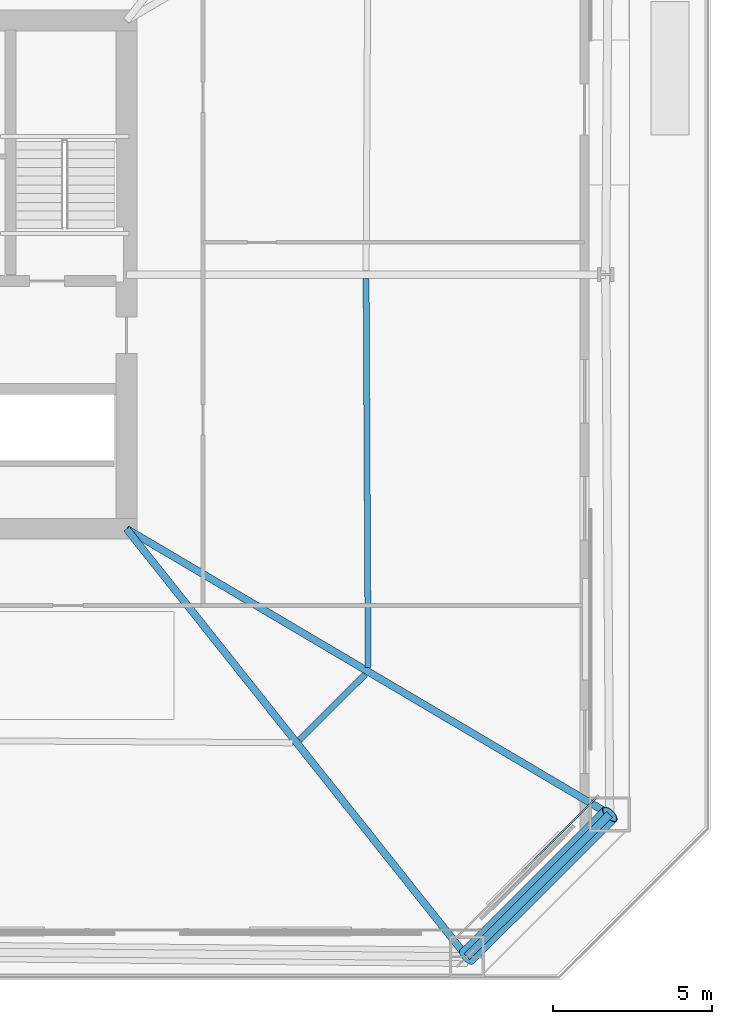
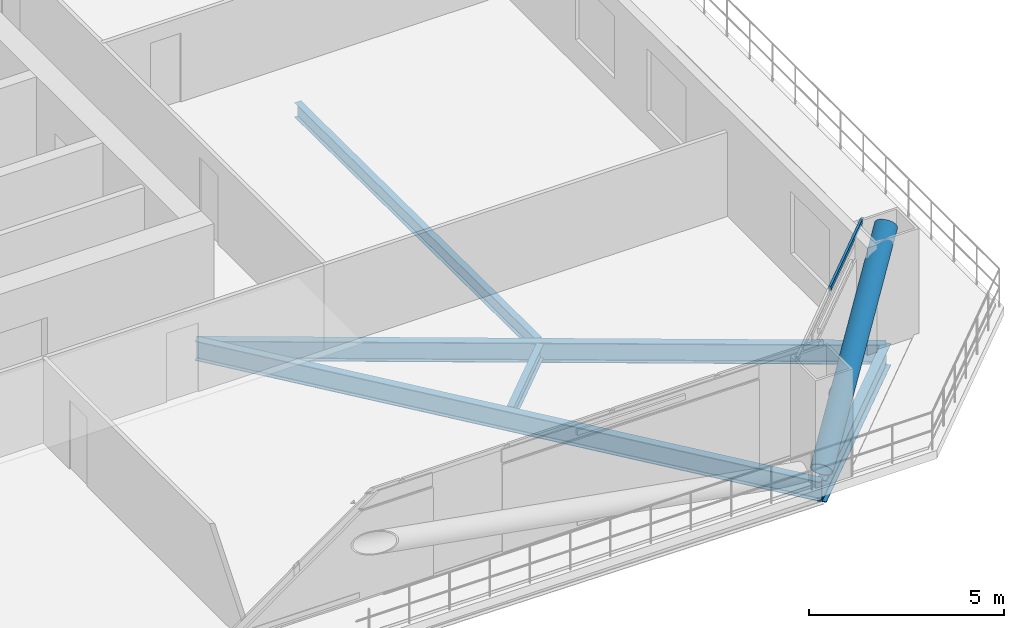
# One storey, part 14 of 34: 5 beams, 3 members, 1 element without a shape of its own.
"""IFC4 building model written with IfcOpenShell, lengths in metres."""

from ifc_helpers import new_model, si_unit, direction, frame, origin, origin_2d, place, context, subcontext, project, spatial, hollow_rectangle, hollow_circle, i_section, extrude, material, layer, layer_set, material_profile, profile_set, type_object, element, aggregate, save


model = new_model("IFC4")

# Units and contexts
model_context = context("Model", 3, precision=1e-05, world=origin(), true_north=direction((0.0, 1.0)))
body_context = subcontext(model_context, "Body", "Model", "MODEL_VIEW")
ifc_project = project(units=[si_unit("LENGTHUNIT", "METRE"), si_unit("AREAUNIT", "SQUARE_METRE"), si_unit("VOLUMEUNIT", "CUBIC_METRE"), si_unit("PLANEANGLEUNIT", "RADIAN"), si_unit("MASSUNIT", "GRAM", prefix="KILO")], contexts=[model_context])

# Site, building, storey
site_placement = place(None, origin())
site = spatial("IfcSite", under=ifc_project, at=site_placement, CompositionType="ELEMENT")
building_placement = place(site_placement, origin())
building = spatial("IfcBuilding", under=site, at=building_placement, Name="Caelvoria Tower", CompositionType="ELEMENT")
storey_placement = place(building_placement, frame((0.0, 0.0, 28.0)))
storey = spatial("IfcBuildingStorey", under=building, at=storey_placement, Name="L06", CompositionType="ELEMENT", Elevation=28.0)

# Curtain wall, members
ifc_material_1 = material(Name="Anodised Bronze Aluminium and Low-E Glass", Category="aluminium")
ifc_layer = layer(ifc_material_1, 0.18505859375, Name="Anodised Bronze Aluminium and Low-E Glass")
ifc_layer_set = layer_set([ifc_layer], Name="CW System 2 Lower Tower Bronze Unitised Facade - Anodised Bronze Aluminium and Low-E Glass")
curtain_wall_type = type_object("IfcCurtainWallType", Name="CW System 2 Lower Tower Bronze Unitised Facade", PredefinedType="NOTDEFINED", material=ifc_layer_set)
curtain_wall_placement = place(storey_placement, origin())
curtain_wall = element("IfcCurtainWall", 1, at=curtain_wall_placement, inside=storey, type_object=curtain_wall_type, Name="CW-02 Curtain Wall L06-E1", PredefinedType="NOTDEFINED")
ifc_material_2 = material(Name="Anodised Bronze Architectural Aluminium", Category="aluminium")
ifc_material_profile_1 = material_profile(ifc_material_2, hollow_rectangle(XDim=0.06494140625, YDim=0.1298828125, WallThickness=0.00341796875, at=origin_2d()), Name="Anodised Bronze Architectural Aluminium")
ifc_profile_set_1 = profile_set([ifc_material_profile_1], Name="CW_TRAN_65X130 - Anodised Bronze Architectural Aluminium")
member_type_1 = type_object("IfcMemberType", Name="Curtain Wall Transom 65x130 Bronze Aluminium", PredefinedType="USERDEFINED", material=ifc_profile_set_1)
member_1_placement = place(storey_placement, frame((67.547119140625, 13.298828125, 0.032470703125), z_axis=(0.707145468468, 0.707068091789, 0.0), x_axis=(-0.707068091789, 0.707145468468, 0.0)))
member_1 = element("IfcMember", 2, at=member_1_placement, type_object=member_type_1, Name="CW-02 transom 2.1", ObjectType="TRANSOM", PredefinedType="USERDEFINED", context=body_context, shape_type="SweptSolid", body=[
    extrude(hollow_rectangle(XDim=0.06494140625, YDim=0.1298828125, WallThickness=0.00341796875, at=origin_2d()), origin(), (0.0, 0.0, 1.0), 3.1552734375),
])
member_2_placement = place(storey_placement, frame((67.547119140625, 13.298828125, 3.327392578125), z_axis=(0.707145468468, 0.707068091789, 0.0), x_axis=(-0.707068091789, 0.707145468468, 0.0)))
member_2 = element("IfcMember", 3, at=member_2_placement, type_object=member_type_1, Name="CW-02 transom 2.2", ObjectType="TRANSOM", PredefinedType="USERDEFINED", context=body_context, shape_type="SweptSolid", body=[
    extrude(hollow_rectangle(XDim=0.06494140625, YDim=0.1298828125, WallThickness=0.00341796875, at=origin_2d()), origin(), (0.0, 0.0, 1.0), 3.1552734375),
])
aggregate(curtain_wall, [member_1, member_2])

# Member
ifc_material_3 = material(Name="Structural Steel ASTM A572 Gr.50", Category="steel")
ifc_material_profile_2 = material_profile(ifc_material_3, hollow_circle(Radius=0.304931640625, WallThickness=0.02490234375, at=origin_2d()), Name="Structural Steel ASTM A572 Gr.50")
ifc_profile_set_2 = profile_set([ifc_material_profile_2], Name="CHS610X25 - Structural Steel ASTM A572 Gr.50")
member_type_2 = type_object("IfcMemberType", Name="Lower Perimeter Mega Brace CHS610X25", PredefinedType="BRACE", material=ifc_profile_set_2)
member_3_placement = place(storey_placement, frame((65.712890625, 10.530517578125, 0.0), z_axis=(0.626042587812, 0.623969711632, 0.467688440322), x_axis=(-0.705933226257, 0.708278391642, 0.0)))
element("IfcMember", 4, at=member_3_placement, inside=storey, type_object=member_type_2, Name="Perimeter Chamfer Mega Brace L06 SE", PredefinedType="BRACE", context=body_context, shape_type="SweptSolid", body=[
    extrude(hollow_circle(Radius=0.304931640625, WallThickness=0.02490234375, at=origin_2d()), origin(), (0.0, 0.0, 1.0), 7.1845703125),
])

# Beams
ifc_material_4 = material(Name="Structural Steel ASTM A992 Gr.50", Category="steel")
ifc_material_profile_3 = material_profile(ifc_material_4, i_section(OverallWidth=0.25390625, OverallDepth=0.68798828125, WebThickness=0.01318359375, FlangeThickness=0.02099609375, FilletRadius=0.01904296875, at=origin_2d()), Name="Structural Steel ASTM A992 Gr.50")
ifc_profile_set_3 = profile_set([ifc_material_profile_3], Name="W690X152 - Structural Steel ASTM A992 Gr.50")
beam_type_1 = type_object("IfcBeamType", Name="Perimeter Spandrel Girder W690X152", PredefinedType="BEAM", material=ifc_profile_set_3)
beam_1_placement = place(storey_placement, frame((65.712890625, 10.530517578125, -0.6640625), z_axis=(0.708278391642, 0.705933226257, 0.0), x_axis=(-0.705933226257, 0.708278391642, 0.0)))
element("IfcBeam", 5, at=beam_1_placement, inside=storey, type_object=beam_type_1, Name="Perimeter Spandrel Girder L06-02", PredefinedType="BEAM", context=body_context, shape_type="SweptSolid", body=[
    extrude(i_section(OverallWidth=0.25390625, OverallDepth=0.68798828125, WebThickness=0.01318359375, FlangeThickness=0.02099609375, FilletRadius=0.01904296875, at=origin_2d()), origin(), (0.0, 0.0, 1.0), 6.350341796875),
])
ifc_material_profile_4 = material_profile(ifc_material_4, i_section(OverallWidth=0.22900390625, OverallDepth=0.612060546875, WebThickness=0.011962890625, FlangeThickness=0.01953125, FilletRadius=0.01806640625, at=origin_2d()), Name="Structural Steel ASTM A992 Gr.50")
ifc_profile_set_4 = profile_set([ifc_material_profile_4], Name="W610X125 - Structural Steel ASTM A992 Gr.50")
beam_type_2 = type_object("IfcBeamType", Name="Primary Radial Floor Girder W610X125", PredefinedType="BEAM", material=ifc_profile_set_4)
beam_2_placement = place(storey_placement, frame((55.0, 24.0, -0.6259765625), z_axis=(0.622471237323, -0.782642676261, 0.0), x_axis=(0.782642676261, 0.622471237323, 0.0)))
element("IfcBeam", 6, at=beam_2_placement, inside=storey, type_object=beam_type_2, Name="Primary Floor Girder L06-02", PredefinedType="BEAM", context=body_context, shape_type="SweptSolid", body=[
    extrude(i_section(OverallWidth=0.22900390625, OverallDepth=0.612060546875, WebThickness=0.011962890625, FlangeThickness=0.01953125, FilletRadius=0.01806640625, at=origin_2d()), origin(), (0.0, 0.0, 1.0), 17.210205078125),
])
beam_3_placement = place(storey_placement, frame((55.0, 24.0, -0.6259765625), z_axis=(0.860965316265, -0.508663665095, 0.0), x_axis=(0.508663665095, 0.860965316265, 0.0)))
element("IfcBeam", 7, at=beam_3_placement, inside=storey, type_object=beam_type_2, Name="Primary Floor Girder L06-03", PredefinedType="BEAM", context=body_context, shape_type="SweptSolid", body=[
    extrude(i_section(OverallWidth=0.22900390625, OverallDepth=0.612060546875, WebThickness=0.011962890625, FlangeThickness=0.01953125, FilletRadius=0.01806640625, at=origin_2d()), origin(), (0.0, 0.0, 1.0), 17.6669921875),
])
ifc_material_profile_5 = material_profile(ifc_material_4, i_section(OverallWidth=0.18994140625, OverallDepth=0.45703125, WebThickness=0.009033203125, FlangeThickness=0.014404296875, FilletRadius=0.014892578125, at=origin_2d()), Name="Structural Steel ASTM A992 Gr.50")
ifc_profile_set_5 = profile_set([ifc_material_profile_5], Name="W460X74 - Structural Steel ASTM A992 Gr.50")
beam_type_3 = type_object("IfcBeamType", Name="Secondary Floor Beam W460X74", PredefinedType="BEAM", material=ifc_profile_set_5)
beam_4_placement = place(storey_placement, frame((60.445068359375, 17.353515625, -0.548583984375), z_axis=(0.708232579267, 0.705979187841, 0.0), x_axis=(-0.705979187841, 0.708232579267, 0.0)))
element("IfcBeam", 8, at=beam_4_placement, inside=storey, type_object=beam_type_3, Name="Secondary Floor Beam L06-02", PredefinedType="BEAM", context=body_context, shape_type="SweptSolid", body=[
    extrude(i_section(OverallWidth=0.18994140625, OverallDepth=0.45703125, WebThickness=0.009033203125, FlangeThickness=0.014404296875, FilletRadius=0.014892578125, at=origin_2d()), origin(), (0.0, 0.0, 1.0), 2.92529296875),
])
beam_5_placement = place(storey_placement, frame((62.6044921875, 19.6318359375, -0.548583984375), z_axis=(-0.005204523911, 0.999986456374, 0.0), x_axis=(-0.999986456374, -0.005204523911, 0.0)))
element("IfcBeam", 9, at=beam_5_placement, inside=storey, type_object=beam_type_3, Name="Secondary Floor Beam L06-03", PredefinedType="BEAM", context=body_context, shape_type="SweptSolid", body=[
    extrude(i_section(OverallWidth=0.18994140625, OverallDepth=0.45703125, WebThickness=0.009033203125, FlangeThickness=0.014404296875, FilletRadius=0.014892578125, at=origin_2d()), origin(), (0.0, 0.0, 1.0), 12.243408203125),
])

save(model, "model.ifc")
